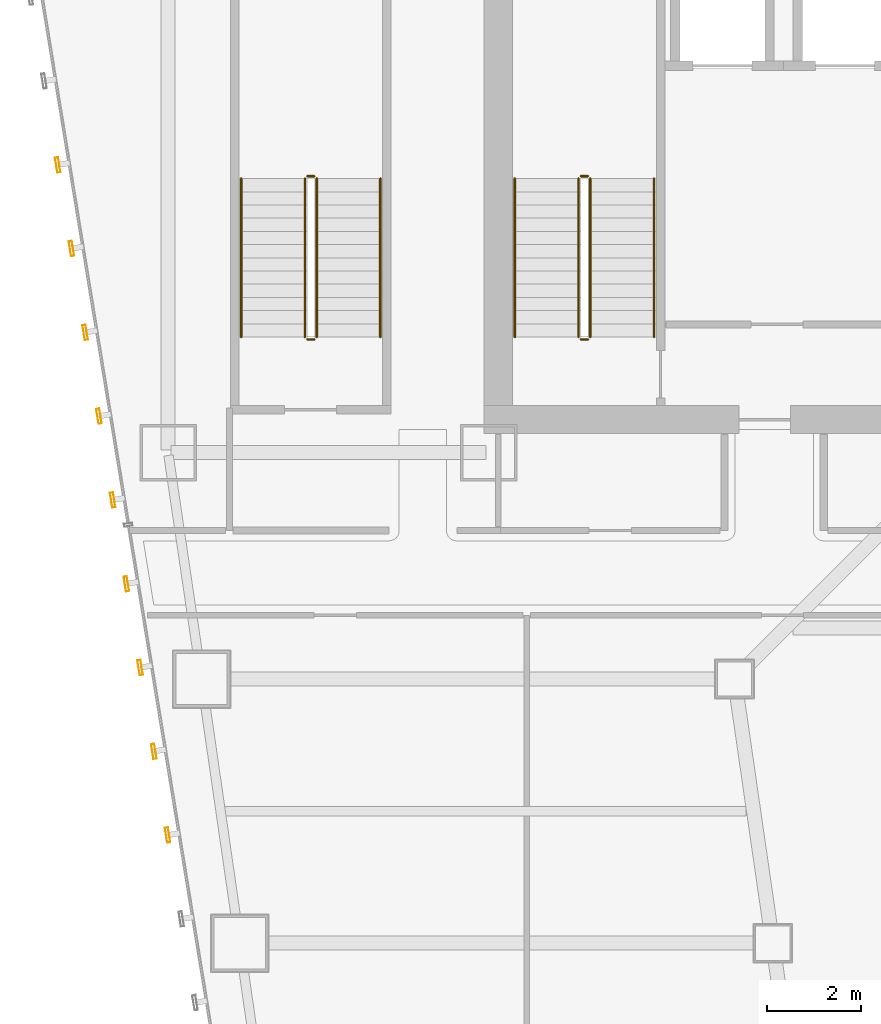
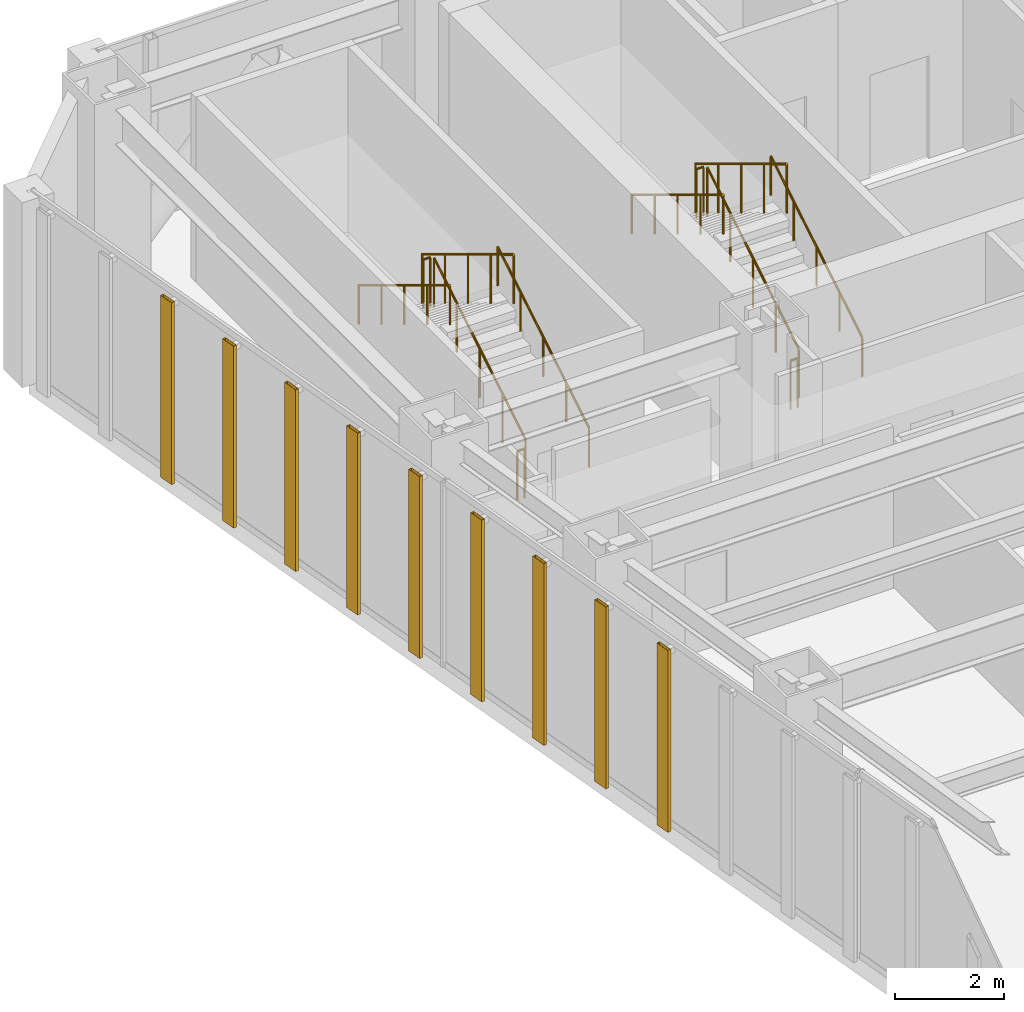
# One storey, part 46 of 49: 12 railings, 9 shading devices.
"""IFC4 building model written with IfcOpenShell, lengths in metres."""

from ifc_helpers import new_model, si_unit, direction, frame, origin, origin_2d, place, context, subcontext, project, spatial, hollow_rectangle, circle, extrude, material, material_profile, profile_set, type_object, element, save


model = new_model("IFC4")

# Units and contexts
model_context = context("Model", 3, precision=1e-05, world=origin(), true_north=direction((0.0, 1.0)))
body_context = subcontext(model_context, "Body", "Model", "MODEL_VIEW")
ifc_project = project(units=[si_unit("LENGTHUNIT", "METRE"), si_unit("AREAUNIT", "SQUARE_METRE"), si_unit("VOLUMEUNIT", "CUBIC_METRE"), si_unit("PLANEANGLEUNIT", "RADIAN"), si_unit("MASSUNIT", "GRAM", prefix="KILO")], contexts=[model_context])

# Site, building, storey
site_placement = place(None, origin())
site = spatial("IfcSite", under=ifc_project, at=site_placement, CompositionType="ELEMENT")
building_placement = place(site_placement, origin())
building = spatial("IfcBuilding", under=site, at=building_placement, Name="Saevonmaru Cultural Tower", CompositionType="ELEMENT")
storey_placement = place(building_placement, frame((0.0, 0.0, 38.39990234375)))
storey = spatial("IfcBuildingStorey", under=building, at=storey_placement, Name="L07", CompositionType="ELEMENT", Elevation=38.39990234375)

# Railings
ifc_material_1 = material(Name="Architectural Painted Steel", Category="steel")
railing_type_1 = type_object("IfcRailingType", Name="RL-STAIR-GUARD", PredefinedType="GUARDRAIL", material=ifc_material_1)
railing_1_placement = place(storey_placement, frame((15.75, 44.85009765625, 0.16943359375)))
element("IfcRailing", 1, at=railing_1_placement, inside=storey, type_object=railing_type_1, Name="L07 ST-1 stair guard 1", PredefinedType="GUARDRAIL", context=body_context, shape_type="SweptSolid", body=[
    extrude(circle(Radius=0.02392578125, at=origin_2d()), frame((0.0, 0.0, 1.09619140625), z_axis=(0.0, 0.855820338506, 0.51727318527), x_axis=(-1.0, 0.0, 0.0)), (0.0, 0.0, 1.0), 3.92578125),
    extrude(circle(Radius=0.02099609375, at=origin_2d()), origin(), (0.0, 0.0, 1.0), 1.072021484375),
    extrude(circle(Radius=0.02099609375, at=origin_2d()), frame((0.0, 0.83984375, 0.5078125)), (0.0, 0.0, 1.0), 1.072021484375),
    extrude(circle(Radius=0.02099609375, at=origin_2d()), frame((0.0, 1.679931640625, 1.015380859375)), (0.0, 0.0, 1.0), 1.072021484375),
    extrude(circle(Radius=0.02099609375, at=origin_2d()), frame((0.0, 2.52001953125, 1.52294921875)), (0.0, 0.0, 1.0), 1.072021484375),
    extrude(circle(Radius=0.02099609375, at=origin_2d()), frame((0.0, 3.35986328125, 2.03076171875)), (0.0, 0.0, 1.0), 1.072021484375),
])
railing_2_placement = place(storey_placement, frame((15.699951171875, 48.260009765625, 2.2001953125)))
element("IfcRailing", 2, at=railing_2_placement, inside=storey, type_object=railing_type_1, Name="L07 ST-1 stair guard 2", PredefinedType="GUARDRAIL", context=body_context, shape_type="SweptSolid", body=[
    extrude(circle(Radius=0.02392578125, at=origin_2d()), frame((0.0, 0.0, 1.09619140625), z_axis=(-1.0, 0.0, 0.0), x_axis=(0.0, -1.0, 0.0)), (0.0, 0.0, 1.0), 0.14990234375),
    extrude(circle(Radius=0.02099609375, at=origin_2d()), origin(), (0.0, 0.0, 1.0), 1.072021484375),
    extrude(circle(Radius=0.02099609375, at=origin_2d()), frame((-0.14990234375, 0.0, 0.0)), (0.0, 0.0, 1.0), 1.072021484375),
])
railing_3_placement = place(storey_placement, frame((15.5, 48.2099609375, 2.369384765625)))
element("IfcRailing", 3, at=railing_3_placement, inside=storey, type_object=railing_type_1, Name="L07 ST-1 stair guard 3", PredefinedType="GUARDRAIL", context=body_context, shape_type="SweptSolid", body=[
    extrude(circle(Radius=0.02392578125, at=origin_2d()), frame((0.0, 0.0, 1.09619140625), z_axis=(0.0, -0.855820338506, 0.51727318527), x_axis=(1.0, 0.0, 0.0)), (0.0, 0.0, 1.0), 3.92578125),
    extrude(circle(Radius=0.02099609375, at=origin_2d()), origin(), (0.0, 0.0, 1.0), 1.072021484375),
    extrude(circle(Radius=0.02099609375, at=origin_2d()), frame((0.0, -0.83984375, 0.5078125)), (0.0, 0.0, 1.0), 1.072021484375),
    extrude(circle(Radius=0.02099609375, at=origin_2d()), frame((0.0, -1.679931640625, 1.015380859375)), (0.0, 0.0, 1.0), 1.072021484375),
    extrude(circle(Radius=0.02099609375, at=origin_2d()), frame((0.0, -2.52001953125, 1.52294921875)), (0.0, 0.0, 1.0), 1.072021484375),
    extrude(circle(Radius=0.02099609375, at=origin_2d()), frame((0.0, -3.35986328125, 2.03076171875)), (0.0, 0.0, 1.0), 1.072021484375),
])
railing_4_placement = place(storey_placement, frame((15.699951171875, 44.800048828125, 0.0)))
element("IfcRailing", 4, at=railing_4_placement, inside=storey, type_object=railing_type_1, Name="L07 ST-1 stair guard 4", PredefinedType="GUARDRAIL", context=body_context, shape_type="SweptSolid", body=[
    extrude(circle(Radius=0.02392578125, at=origin_2d()), frame((0.0, 0.0, 1.09619140625), z_axis=(-1.0, 0.0, 0.0), x_axis=(0.0, -1.0, 0.0)), (0.0, 0.0, 1.0), 0.14990234375),
    extrude(circle(Radius=0.02099609375, at=origin_2d()), origin(), (0.0, 0.0, 1.0), 1.072021484375),
    extrude(circle(Radius=0.02099609375, at=origin_2d()), frame((-0.14990234375, 0.0, 0.0)), (0.0, 0.0, 1.0), 1.072021484375),
])
railing_5_placement = place(storey_placement, frame((9.949951171875, 44.85009765625, 0.16943359375)))
element("IfcRailing", 5, at=railing_5_placement, inside=storey, type_object=railing_type_1, Name="L07 ST-3 stair guard 1", PredefinedType="GUARDRAIL", context=body_context, shape_type="SweptSolid", body=[
    extrude(circle(Radius=0.02392578125, at=origin_2d()), frame((0.0, 0.0, 1.09619140625), z_axis=(0.0, 0.855820338506, 0.51727318527), x_axis=(-1.0, 0.0, 0.0)), (0.0, 0.0, 1.0), 3.92578125),
    extrude(circle(Radius=0.02099609375, at=origin_2d()), origin(), (0.0, 0.0, 1.0), 1.072021484375),
    extrude(circle(Radius=0.02099609375, at=origin_2d()), frame((0.0, 0.83984375, 0.5078125)), (0.0, 0.0, 1.0), 1.072021484375),
    extrude(circle(Radius=0.02099609375, at=origin_2d()), frame((0.0, 1.679931640625, 1.015380859375)), (0.0, 0.0, 1.0), 1.072021484375),
    extrude(circle(Radius=0.02099609375, at=origin_2d()), frame((0.0, 2.52001953125, 1.52294921875)), (0.0, 0.0, 1.0), 1.072021484375),
    extrude(circle(Radius=0.02099609375, at=origin_2d()), frame((0.0, 3.35986328125, 2.03076171875)), (0.0, 0.0, 1.0), 1.072021484375),
])
railing_6_placement = place(storey_placement, frame((9.89990234375, 48.260009765625, 2.2001953125)))
element("IfcRailing", 6, at=railing_6_placement, inside=storey, type_object=railing_type_1, Name="L07 ST-3 stair guard 2", PredefinedType="GUARDRAIL", context=body_context, shape_type="SweptSolid", body=[
    extrude(circle(Radius=0.02392578125, at=origin_2d()), frame((0.0, 0.0, 1.09619140625), z_axis=(-1.0, 0.0, 0.0), x_axis=(0.0, -1.0, 0.0)), (0.0, 0.0, 1.0), 0.14990234375),
    extrude(circle(Radius=0.02099609375, at=origin_2d()), origin(), (0.0, 0.0, 1.0), 1.072021484375),
    extrude(circle(Radius=0.02099609375, at=origin_2d()), frame((-0.14990234375, 0.0, 0.0)), (0.0, 0.0, 1.0), 1.072021484375),
])
railing_7_placement = place(storey_placement, frame((9.699951171875, 48.2099609375, 2.369384765625)))
element("IfcRailing", 7, at=railing_7_placement, inside=storey, type_object=railing_type_1, Name="L07 ST-3 stair guard 3", PredefinedType="GUARDRAIL", context=body_context, shape_type="SweptSolid", body=[
    extrude(circle(Radius=0.02392578125, at=origin_2d()), frame((0.0, 0.0, 1.09619140625), z_axis=(0.0, -0.855820338506, 0.51727318527), x_axis=(1.0, 0.0, 0.0)), (0.0, 0.0, 1.0), 3.92578125),
    extrude(circle(Radius=0.02099609375, at=origin_2d()), origin(), (0.0, 0.0, 1.0), 1.072021484375),
    extrude(circle(Radius=0.02099609375, at=origin_2d()), frame((0.0, -0.83984375, 0.5078125)), (0.0, 0.0, 1.0), 1.072021484375),
    extrude(circle(Radius=0.02099609375, at=origin_2d()), frame((0.0, -1.679931640625, 1.015380859375)), (0.0, 0.0, 1.0), 1.072021484375),
    extrude(circle(Radius=0.02099609375, at=origin_2d()), frame((0.0, -2.52001953125, 1.52294921875)), (0.0, 0.0, 1.0), 1.072021484375),
    extrude(circle(Radius=0.02099609375, at=origin_2d()), frame((0.0, -3.35986328125, 2.03076171875)), (0.0, 0.0, 1.0), 1.072021484375),
])
railing_8_placement = place(storey_placement, frame((9.89990234375, 44.800048828125, 0.0)))
element("IfcRailing", 8, at=railing_8_placement, inside=storey, type_object=railing_type_1, Name="L07 ST-3 stair guard 4", PredefinedType="GUARDRAIL", context=body_context, shape_type="SweptSolid", body=[
    extrude(circle(Radius=0.02392578125, at=origin_2d()), frame((0.0, 0.0, 1.09619140625), z_axis=(-1.0, 0.0, 0.0), x_axis=(0.0, -1.0, 0.0)), (0.0, 0.0, 1.0), 0.14990234375),
    extrude(circle(Radius=0.02099609375, at=origin_2d()), origin(), (0.0, 0.0, 1.0), 1.072021484375),
    extrude(circle(Radius=0.02099609375, at=origin_2d()), frame((-0.14990234375, 0.0, 0.0)), (0.0, 0.0, 1.0), 1.072021484375),
])
ifc_material_2 = material(Name="Satin Bronze Anodised Aluminium", Category="aluminium")
railing_type_2 = type_object("IfcRailingType", Name="RL-STAIR-HANDRAIL", PredefinedType="HANDRAIL", material=ifc_material_2)
railing_9_placement = place(storey_placement, frame((17.10009765625, 44.85009765625, 0.16943359375)))
element("IfcRailing", 9, at=railing_9_placement, inside=storey, type_object=railing_type_2, Name="L07 ST-1 stair handrail 1", PredefinedType="HANDRAIL", context=body_context, shape_type="SweptSolid", body=[
    extrude(circle(Radius=0.02392578125, at=origin_2d()), frame((0.0, 0.0, 0.8759765625), z_axis=(0.0, 0.855820338506, 0.51727318527), x_axis=(-1.0, 0.0, 0.0)), (0.0, 0.0, 1.0), 3.92578125),
    extrude(circle(Radius=0.02099609375, at=origin_2d()), origin(), (0.0, 0.0, 1.0), 0.851806640625),
    extrude(circle(Radius=0.02099609375, at=origin_2d()), frame((0.0, 0.83984375, 0.5078125)), (0.0, 0.0, 1.0), 0.851806640625),
    extrude(circle(Radius=0.02099609375, at=origin_2d()), frame((0.0, 1.679931640625, 1.015380859375)), (0.0, 0.0, 1.0), 0.851806640625),
    extrude(circle(Radius=0.02099609375, at=origin_2d()), frame((0.0, 2.52001953125, 1.52294921875)), (0.0, 0.0, 1.0), 0.851806640625),
    extrude(circle(Radius=0.02099609375, at=origin_2d()), frame((0.0, 3.35986328125, 2.03076171875)), (0.0, 0.0, 1.0), 0.851806640625),
])
railing_10_placement = place(storey_placement, frame((14.14990234375, 48.2099609375, 2.369384765625)))
element("IfcRailing", 10, at=railing_10_placement, inside=storey, type_object=railing_type_2, Name="L07 ST-1 stair handrail 2", PredefinedType="HANDRAIL", context=body_context, shape_type="SweptSolid", body=[
    extrude(circle(Radius=0.02392578125, at=origin_2d()), frame((0.0, 0.0, 0.8759765625), z_axis=(0.0, -0.855820338506, 0.51727318527), x_axis=(1.0, 0.0, 0.0)), (0.0, 0.0, 1.0), 3.92578125),
    extrude(circle(Radius=0.02099609375, at=origin_2d()), origin(), (0.0, 0.0, 1.0), 0.851806640625),
    extrude(circle(Radius=0.02099609375, at=origin_2d()), frame((0.0, -0.83984375, 0.5078125)), (0.0, 0.0, 1.0), 0.851806640625),
    extrude(circle(Radius=0.02099609375, at=origin_2d()), frame((0.0, -1.679931640625, 1.015380859375)), (0.0, 0.0, 1.0), 0.851806640625),
    extrude(circle(Radius=0.02099609375, at=origin_2d()), frame((0.0, -2.52001953125, 1.52294921875)), (0.0, 0.0, 1.0), 0.851806640625),
    extrude(circle(Radius=0.02099609375, at=origin_2d()), frame((0.0, -3.35986328125, 2.03076171875)), (0.0, 0.0, 1.0), 0.851806640625),
])
railing_11_placement = place(storey_placement, frame((11.300048828125, 44.85009765625, 0.16943359375)))
element("IfcRailing", 11, at=railing_11_placement, inside=storey, type_object=railing_type_2, Name="L07 ST-3 stair handrail 1", PredefinedType="HANDRAIL", context=body_context, shape_type="SweptSolid", body=[
    extrude(circle(Radius=0.02392578125, at=origin_2d()), frame((0.0, 0.0, 0.8759765625), z_axis=(0.0, 0.855820338506, 0.51727318527), x_axis=(-1.0, 0.0, 0.0)), (0.0, 0.0, 1.0), 3.92578125),
    extrude(circle(Radius=0.02099609375, at=origin_2d()), origin(), (0.0, 0.0, 1.0), 0.851806640625),
    extrude(circle(Radius=0.02099609375, at=origin_2d()), frame((0.0, 0.83984375, 0.5078125)), (0.0, 0.0, 1.0), 0.851806640625),
    extrude(circle(Radius=0.02099609375, at=origin_2d()), frame((0.0, 1.679931640625, 1.015380859375)), (0.0, 0.0, 1.0), 0.851806640625),
    extrude(circle(Radius=0.02099609375, at=origin_2d()), frame((0.0, 2.52001953125, 1.52294921875)), (0.0, 0.0, 1.0), 0.851806640625),
    extrude(circle(Radius=0.02099609375, at=origin_2d()), frame((0.0, 3.35986328125, 2.03076171875)), (0.0, 0.0, 1.0), 0.851806640625),
])
railing_12_placement = place(storey_placement, frame((8.35009765625, 48.2099609375, 2.369384765625)))
element("IfcRailing", 12, at=railing_12_placement, inside=storey, type_object=railing_type_2, Name="L07 ST-3 stair handrail 2", PredefinedType="HANDRAIL", context=body_context, shape_type="SweptSolid", body=[
    extrude(circle(Radius=0.02392578125, at=origin_2d()), frame((0.0, 0.0, 0.8759765625), z_axis=(0.0, -0.855820338506, 0.51727318527), x_axis=(1.0, 0.0, 0.0)), (0.0, 0.0, 1.0), 3.92578125),
    extrude(circle(Radius=0.02099609375, at=origin_2d()), origin(), (0.0, 0.0, 1.0), 0.851806640625),
    extrude(circle(Radius=0.02099609375, at=origin_2d()), frame((0.0, -0.83984375, 0.5078125)), (0.0, 0.0, 1.0), 0.851806640625),
    extrude(circle(Radius=0.02099609375, at=origin_2d()), frame((0.0, -1.679931640625, 1.015380859375)), (0.0, 0.0, 1.0), 0.851806640625),
    extrude(circle(Radius=0.02099609375, at=origin_2d()), frame((0.0, -2.52001953125, 1.52294921875)), (0.0, 0.0, 1.0), 0.851806640625),
    extrude(circle(Radius=0.02099609375, at=origin_2d()), frame((0.0, -3.35986328125, 2.03076171875)), (0.0, 0.0, 1.0), 0.851806640625),
])

# Shading devices
ifc_material_profile = material_profile(ifc_material_2, hollow_rectangle(XDim=0.070068359375, YDim=0.320068359375, WallThickness=0.0048828125, at=origin_2d()), Name="FIN-320x70")
ifc_profile_set = profile_set([ifc_material_profile], Name="Satin Bronze Anodised Aluminium")
shading_device_type = type_object("IfcShadingDeviceType", Name="SHD-FIN-320", PredefinedType="JALOUSIE", material=ifc_profile_set)
for number, where, z_axis, x_axis, name in (
    (13, (4.461181640625, 48.50048828125, 0.050048828125), (0.0, 0.0, 1.0), (-0.986827496189, -0.161776057456, 0.0), "L07 Art Deco Sawtooth Bronze Fin E12-03"),
    (14, (4.75244140625, 46.724365234375, 0.050048828125), (0.0, 0.0, 1.0), (-0.986827496189, -0.161776057456, 0.0), "L07 Art Deco Sawtooth Bronze Fin E12-04"),
    (15, (5.04345703125, 44.947998046875, 0.050048828125), (0.0, 0.0, 1.0), (-0.986827496189, -0.161776057456, 0.0), "L07 Art Deco Sawtooth Bronze Fin E12-05"),
    (16, (5.334716796875, 43.171630859375, 0.050048828125), (0.0, 0.0, 1.0), (-0.986827496189, -0.161776057456, 0.0), "L07 Art Deco Sawtooth Bronze Fin E12-06"),
    (17, (5.62548828125, 41.3955078125, 0.050048828125), (0.0, 0.0, 1.0), (-0.986827496189, -0.161776057456, 0.0), "L07 Art Deco Sawtooth Bronze Fin E12-07"),
    (18, (5.916748046875, 39.618896484375, 0.050048828125), (0.0, 0.0, 1.0), (-0.986827496189, -0.161776057456, 0.0), "L07 Art Deco Sawtooth Bronze Fin E12-08"),
    (19, (6.207763671875, 37.8427734375, 0.050048828125), (0.0, 0.0, 1.0), (-0.986827496189, -0.161776057456, 0.0), "L07 Art Deco Sawtooth Bronze Fin E12-09"),
    (20, (6.498779296875, 36.06640625, 0.050048828125), (0.0, 0.0, 1.0), (-0.986827496189, -0.161776057456, 0.0), "L07 Art Deco Sawtooth Bronze Fin E12-10"),
    (21, (6.789794921875, 34.2900390625, 0.050048828125), (0.0, 0.0, 1.0), (-0.986827496189, -0.161776057456, 0.0), "L07 Art Deco Sawtooth Bronze Fin E12-11"),
):
    element("IfcShadingDevice", number, at=place(storey_placement, frame(where, z_axis=z_axis, x_axis=x_axis)), inside=storey, type_object=shading_device_type, Name=name, PredefinedType="JALOUSIE", context=body_context, shape_type="SweptSolid", body=[
        extrude(hollow_rectangle(XDim=0.070068359375, YDim=0.320068359375, WallThickness=0.0048828125, at=origin_2d()), origin(), (0.0, 0.0, 1.0), 4.080078125),
    ])

save(model, "model.ifc")
